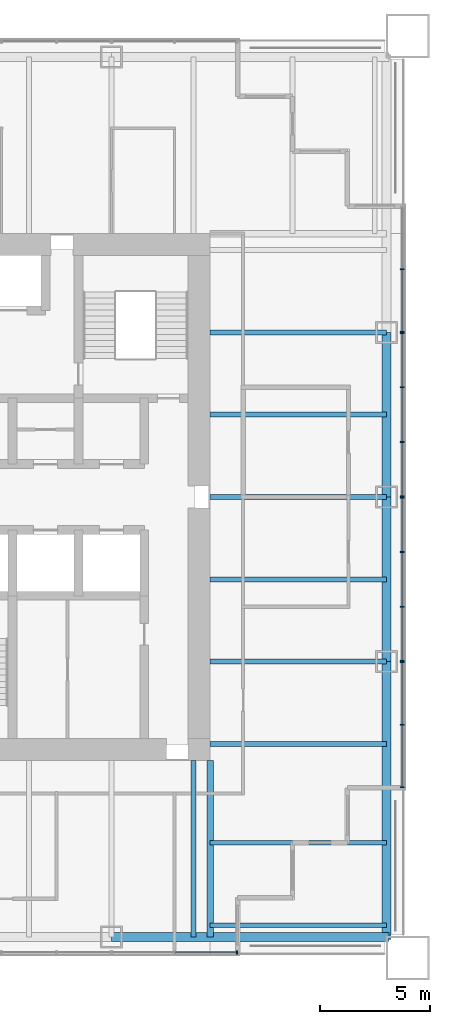
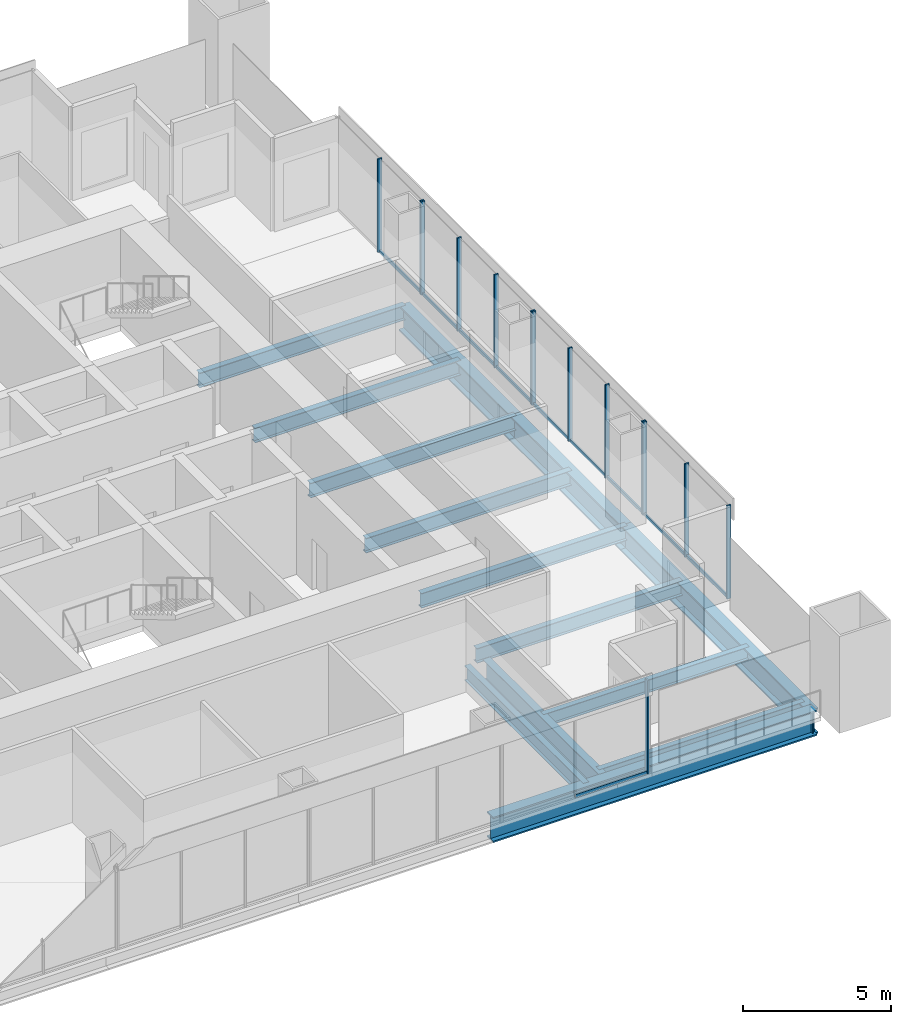
# One storey, part 5 of 14: 24 members, 14 beams, 5 elements without a shape of their own.
"""IFC4 building model written with IfcOpenShell, lengths in metres."""

from ifc_helpers import new_model, si_unit, direction, frame, origin, origin_2d, place, context, subcontext, project, spatial, rectangle, i_section, extrude, material, material_profile, profile_set, type_object, element, aggregate, save


model = new_model("IFC4")

# Units and contexts
model_context = context("Model", 3, precision=1e-05, world=origin(), true_north=direction((0.0, 1.0)))
body_context = subcontext(model_context, "Body", "Model", "MODEL_VIEW")
ifc_project = project(units=[si_unit("LENGTHUNIT", "METRE"), si_unit("AREAUNIT", "SQUARE_METRE"), si_unit("VOLUMEUNIT", "CUBIC_METRE"), si_unit("PLANEANGLEUNIT", "RADIAN"), si_unit("MASSUNIT", "GRAM", prefix="KILO")], contexts=[model_context])

# Site, building, storey
site_placement = place(None, origin())
site = spatial("IfcSite", under=ifc_project, at=site_placement, CompositionType="ELEMENT")
building_placement = place(site_placement, origin())
building = spatial("IfcBuilding", under=site, at=building_placement, Name="Tarangal Relay Tower", CompositionType="ELEMENT")
storey_placement = place(building_placement, frame((0.0, 0.0, 291.89990234375)))
storey = spatial("IfcBuildingStorey", under=building, at=storey_placement, Name="L64", CompositionType="ELEMENT", Elevation=291.89990234375)

# Beams
ifc_material_1 = material(Name="Steel ASTM A992", Category="steel")
ifc_material_profile_1 = material_profile(ifc_material_1, i_section(OverallWidth=0.209228515625, OverallDepth=0.533447265625, WebThickness=0.01025390625, FlangeThickness=0.015625, at=origin_2d()), Name="W21X62")
ifc_profile_set_1 = profile_set([ifc_material_profile_1], Name="Steel ASTM A992")
beam_type_1 = type_object("IfcBeamType", Name="Corner beam W21X62", PredefinedType="JOIST", material=ifc_profile_set_1)
for number, where, z_axis, x_axis, name in (
    (1, (12.0, -15.75, -0.41650390625), (1.0, 0.0, 0.0), (0.0, 1.0, 0.0), "Corner beam CB12 E L64"),
    (2, (12.0, -19.5, -0.41650390625), (1.0, 0.0, 0.0), (0.0, 1.0, 0.0), "Corner beam CB12 E L64"),
):
    element("IfcBeam", number, at=place(storey_placement, frame(where, z_axis=z_axis, x_axis=x_axis)), inside=storey, type_object=beam_type_1, Name=name, PredefinedType="JOIST", context=body_context, shape_type="SweptSolid", body=[
        extrude(i_section(OverallWidth=0.209228515625, OverallDepth=0.533447265625, WebThickness=0.01025390625, FlangeThickness=0.015625, at=origin_2d()), origin(), (0.0, 0.0, 1.0), 8.0400390625),
    ])
ifc_material_profile_2 = material_profile(ifc_material_1, i_section(OverallWidth=0.2919921875, OverallDepth=0.8408203125, WebThickness=0.0146484375, FlangeThickness=0.021728515625, at=origin_2d()), Name="W33X130")
ifc_profile_set_2 = profile_set([ifc_material_profile_2], Name="Steel ASTM A992")
beam_type_2 = type_object("IfcBeamType", Name="Corner girder W33X130", PredefinedType="BEAM", material=ifc_profile_set_2)
beam_placement = place(storey_placement, frame((12.0, -12.0, -0.5703125), z_axis=(0.0, -1.0, 0.0), x_axis=(1.0, 0.0, 0.0)))
element("IfcBeam", 3, at=beam_placement, inside=storey, type_object=beam_type_2, Name="Corner girder CG5 E L64", PredefinedType="BEAM", context=body_context, shape_type="SweptSolid", body=[
    extrude(i_section(OverallWidth=0.2919921875, OverallDepth=0.8408203125, WebThickness=0.0146484375, FlangeThickness=0.021728515625, at=origin_2d()), origin(), (0.0, 0.0, 1.0), 8.0400390625),
])
ifc_material_profile_3 = material_profile(ifc_material_1, i_section(OverallWidth=0.41162109375, OverallDepth=1.049072265625, WebThickness=0.033935546875, FlangeThickness=0.059814453125, at=origin_2d()), Name="W40X431")
ifc_profile_set_3 = profile_set([ifc_material_profile_3], Name="Steel ASTM A992")
beam_type_3 = type_object("IfcBeamType", Name="Edge girder W40X431", PredefinedType="SPANDREL", material=ifc_profile_set_3)
for number, where, z_axis, x_axis, name in (
    (4, (20.0400390625, 7.5, -0.67431640625), (0.0, -1.0, 0.0), (1.0, 0.0, 0.0), "Edge girder EG1 E L64"),
    (5, (20.0400390625, 0.0, -0.67431640625), (0.0, -1.0, 0.0), (1.0, 0.0, 0.0), "Edge girder EG1 E L64"),
):
    element("IfcBeam", number, at=place(storey_placement, frame(where, z_axis=z_axis, x_axis=x_axis)), inside=storey, type_object=beam_type_3, Name=name, PredefinedType="SPANDREL", context=body_context, shape_type="SweptSolid", body=[
        extrude(i_section(OverallWidth=0.41162109375, OverallDepth=1.049072265625, WebThickness=0.033935546875, FlangeThickness=0.059814453125, at=origin_2d()), origin(), (0.0, 0.0, 1.0), 7.5),
    ])
for number, where, z_axis, x_axis, name in (
    (6, (20.0400390625, -7.5, -0.67431640625), (0.0, -1.0, 0.0), (1.0, 0.0, 0.0), "Edge girder EG1 E L64"),
    (7, (20.14990234375, -20.0400390625, -0.67431640625), (-1.0, 0.0, 0.0), (0.0, -1.0, 0.0), "Edge girder EG1 S L64"),
):
    element("IfcBeam", number, at=place(storey_placement, frame(where, z_axis=z_axis, x_axis=x_axis)), inside=storey, type_object=beam_type_3, Name=name, PredefinedType="SPANDREL", context=body_context, shape_type="SweptSolid", body=[
        extrude(i_section(OverallWidth=0.41162109375, OverallDepth=1.049072265625, WebThickness=0.033935546875, FlangeThickness=0.059814453125, at=origin_2d()), origin(), (0.0, 0.0, 1.0), 12.64990234375),
    ])
ifc_material_profile_4 = material_profile(ifc_material_1, i_section(OverallWidth=0.228271484375, OverallDepth=0.607177734375, WebThickness=0.01123046875, FlangeThickness=0.017333984375, at=origin_2d()), Name="W24X76")
ifc_profile_set_4 = profile_set([ifc_material_profile_4], Name="Steel ASTM A992")
beam_type_4 = type_object("IfcBeamType", Name="Floor beam W24X76", PredefinedType="BEAM", material=ifc_profile_set_4)
for number, where, z_axis, x_axis, name in (
    (8, (12.0, 7.5, -0.453369140625), (1.0, 0.0, 0.0), (0.0, 1.0, 0.0), "Floor beam RB5 E L64"),
    (9, (12.0, 3.75, -0.453369140625), (1.0, 0.0, 0.0), (0.0, 1.0, 0.0), "Floor beam RB5 E L64"),
    (10, (12.0, 0.0, -0.453369140625), (1.0, 0.0, 0.0), (0.0, 1.0, 0.0), "Floor beam RB5 E L64"),
    (11, (12.0, -3.75, -0.453369140625), (1.0, 0.0, 0.0), (0.0, 1.0, 0.0), "Floor beam RB5 E L64"),
    (12, (12.0, -7.5, -0.453369140625), (1.0, 0.0, 0.0), (0.0, 1.0, 0.0), "Floor beam RB5 E L64"),
    (13, (12.0, -11.25, -0.453369140625), (1.0, 0.0, 0.0), (0.0, 1.0, 0.0), "Floor beam RB5 E L64"),
    (14, (11.25, -12.0, -0.453369140625), (0.0, -1.0, 0.0), (1.0, 0.0, 0.0), "Floor beam RB5 S L64"),
):
    element("IfcBeam", number, at=place(storey_placement, frame(where, z_axis=z_axis, x_axis=x_axis)), inside=storey, type_object=beam_type_4, Name=name, PredefinedType="BEAM", context=body_context, shape_type="SweptSolid", body=[
        extrude(i_section(OverallWidth=0.228271484375, OverallDepth=0.607177734375, WebThickness=0.01123046875, FlangeThickness=0.017333984375, at=origin_2d()), origin(), (0.0, 0.0, 1.0), 8.0400390625),
    ])

# Curtain wall, members
ifc_material_2 = material(Name="Unitised curtain wall, dark glass and black aluminium", Category="aluminium")
curtain_wall_type = type_object("IfcCurtainWallType", Name="Curtain wall CW-B", PredefinedType="USERDEFINED", material=ifc_material_2)
curtain_wall_1_placement = place(storey_placement, origin())
curtain_wall_1 = element("IfcCurtainWall", 15, at=curtain_wall_1_placement, inside=storey, type_object=curtain_wall_type, Name="Curtain wall CW-B E facade L64", ObjectType="UNITISED CURTAIN WALL", PredefinedType="USERDEFINED")
ifc_material_3 = material(Name="Black anodised aluminium mullion", Category="aluminium")
ifc_material_profile_5 = material_profile(ifc_material_3, rectangle(XDim=0.159912109375, YDim=0.06005859375, at=origin_2d()), Name="CW-BM 60X160")
ifc_profile_set_5 = profile_set([ifc_material_profile_5], Name="Black anodised aluminium mullion")
member_type_1 = type_object("IfcMemberType", Name="Mullion CW-B 60 x 160", PredefinedType="MULLION", material=ifc_profile_set_5)
member_1_placement = place(storey_placement, frame((20.75, 10.375, 0.0), z_axis=(0.0, 0.0, 1.0), x_axis=(1.0, 0.0, 0.0)))
member_1 = element("IfcMember", 16, at=member_1_placement, type_object=member_type_1, Name="CW-B mullion 2", PredefinedType="MULLION", context=body_context, shape_type="SweptSolid", body=[
    extrude(rectangle(XDim=0.159912109375, YDim=0.06005859375, at=origin_2d()), origin(), (0.0, 0.0, 1.0), 3.85009765625),
])
member_2_placement = place(storey_placement, frame((20.75, 7.530029296875, 0.0), z_axis=(0.0, 0.0, 1.0), x_axis=(1.0, 0.0, 0.0)))
member_2 = element("IfcMember", 17, at=member_2_placement, type_object=member_type_1, Name="CW-B mullion 3", PredefinedType="MULLION", context=body_context, shape_type="SweptSolid", body=[
    extrude(rectangle(XDim=0.159912109375, YDim=0.06005859375, at=origin_2d()), origin(), (0.0, 0.0, 1.0), 3.85009765625),
])

curtain_wall_2_placement = place(storey_placement, origin())
curtain_wall_2 = element("IfcCurtainWall", 18, at=curtain_wall_2_placement, inside=storey, type_object=curtain_wall_type, Name="Curtain wall CW-B E facade L64", ObjectType="UNITISED CURTAIN WALL", PredefinedType="USERDEFINED")
member_3_placement = place(storey_placement, frame((20.75, 7.469970703125, 0.0), z_axis=(0.0, 0.0, 1.0), x_axis=(1.0, 0.0, 0.0)))
member_3 = element("IfcMember", 19, at=member_3_placement, type_object=member_type_1, Name="CW-B mullion 1", PredefinedType="MULLION", context=body_context, shape_type="SweptSolid", body=[
    extrude(rectangle(XDim=0.159912109375, YDim=0.06005859375, at=origin_2d()), origin(), (0.0, 0.0, 1.0), 3.85009765625),
])
member_4_placement = place(storey_placement, frame((20.75, 5.0, 0.0), z_axis=(0.0, 0.0, 1.0), x_axis=(1.0, 0.0, 0.0)))
member_4 = element("IfcMember", 20, at=member_4_placement, type_object=member_type_1, Name="CW-B mullion 2", PredefinedType="MULLION", context=body_context, shape_type="SweptSolid", body=[
    extrude(rectangle(XDim=0.159912109375, YDim=0.06005859375, at=origin_2d()), origin(), (0.0, 0.0, 1.0), 3.85009765625),
])
member_5_placement = place(storey_placement, frame((20.75, 2.5, 0.0), z_axis=(0.0, 0.0, 1.0), x_axis=(1.0, 0.0, 0.0)))
member_5 = element("IfcMember", 21, at=member_5_placement, type_object=member_type_1, Name="CW-B mullion 3", PredefinedType="MULLION", context=body_context, shape_type="SweptSolid", body=[
    extrude(rectangle(XDim=0.159912109375, YDim=0.06005859375, at=origin_2d()), origin(), (0.0, 0.0, 1.0), 3.85009765625),
])
member_6_placement = place(storey_placement, frame((20.75, 0.030029296875, 0.0), z_axis=(0.0, 0.0, 1.0), x_axis=(1.0, 0.0, 0.0)))
member_6 = element("IfcMember", 22, at=member_6_placement, type_object=member_type_1, Name="CW-B mullion 4", PredefinedType="MULLION", context=body_context, shape_type="SweptSolid", body=[
    extrude(rectangle(XDim=0.159912109375, YDim=0.06005859375, at=origin_2d()), origin(), (0.0, 0.0, 1.0), 3.85009765625),
])

curtain_wall_3_placement = place(storey_placement, origin())
curtain_wall_3 = element("IfcCurtainWall", 23, at=curtain_wall_3_placement, inside=storey, type_object=curtain_wall_type, Name="Curtain wall CW-B E facade L64", ObjectType="UNITISED CURTAIN WALL", PredefinedType="USERDEFINED")
member_7_placement = place(storey_placement, frame((20.75, -0.030029296875, 0.0), z_axis=(0.0, 0.0, 1.0), x_axis=(1.0, 0.0, 0.0)))
member_7 = element("IfcMember", 24, at=member_7_placement, type_object=member_type_1, Name="CW-B mullion 1", PredefinedType="MULLION", context=body_context, shape_type="SweptSolid", body=[
    extrude(rectangle(XDim=0.159912109375, YDim=0.06005859375, at=origin_2d()), origin(), (0.0, 0.0, 1.0), 3.85009765625),
])
member_8_placement = place(storey_placement, frame((20.75, -2.5, 0.0), z_axis=(0.0, 0.0, 1.0), x_axis=(1.0, 0.0, 0.0)))
member_8 = element("IfcMember", 25, at=member_8_placement, type_object=member_type_1, Name="CW-B mullion 2", PredefinedType="MULLION", context=body_context, shape_type="SweptSolid", body=[
    extrude(rectangle(XDim=0.159912109375, YDim=0.06005859375, at=origin_2d()), origin(), (0.0, 0.0, 1.0), 3.85009765625),
])
member_9_placement = place(storey_placement, frame((20.75, -5.0, 0.0), z_axis=(0.0, 0.0, 1.0), x_axis=(1.0, 0.0, 0.0)))
member_9 = element("IfcMember", 26, at=member_9_placement, type_object=member_type_1, Name="CW-B mullion 3", PredefinedType="MULLION", context=body_context, shape_type="SweptSolid", body=[
    extrude(rectangle(XDim=0.159912109375, YDim=0.06005859375, at=origin_2d()), origin(), (0.0, 0.0, 1.0), 3.85009765625),
])
member_10_placement = place(storey_placement, frame((20.75, -7.469970703125, 0.0), z_axis=(0.0, 0.0, 1.0), x_axis=(1.0, 0.0, 0.0)))
member_10 = element("IfcMember", 27, at=member_10_placement, type_object=member_type_1, Name="CW-B mullion 4", PredefinedType="MULLION", context=body_context, shape_type="SweptSolid", body=[
    extrude(rectangle(XDim=0.159912109375, YDim=0.06005859375, at=origin_2d()), origin(), (0.0, 0.0, 1.0), 3.85009765625),
])

curtain_wall_4_placement = place(storey_placement, origin())
curtain_wall_4 = element("IfcCurtainWall", 28, at=curtain_wall_4_placement, inside=storey, type_object=curtain_wall_type, Name="Curtain wall CW-B E facade L64", ObjectType="UNITISED CURTAIN WALL", PredefinedType="USERDEFINED")
member_11_placement = place(storey_placement, frame((20.75, -7.530029296875, 0.0), z_axis=(0.0, 0.0, 1.0), x_axis=(1.0, 0.0, 0.0)))
member_11 = element("IfcMember", 29, at=member_11_placement, type_object=member_type_1, Name="CW-B mullion 1", PredefinedType="MULLION", context=body_context, shape_type="SweptSolid", body=[
    extrude(rectangle(XDim=0.159912109375, YDim=0.06005859375, at=origin_2d()), origin(), (0.0, 0.0, 1.0), 3.85009765625),
])
member_12_placement = place(storey_placement, frame((20.75, -10.375, 0.0), z_axis=(0.0, 0.0, 1.0), x_axis=(1.0, 0.0, 0.0)))
member_12 = element("IfcMember", 30, at=member_12_placement, type_object=member_type_1, Name="CW-B mullion 2", PredefinedType="MULLION", context=body_context, shape_type="SweptSolid", body=[
    extrude(rectangle(XDim=0.159912109375, YDim=0.06005859375, at=origin_2d()), origin(), (0.0, 0.0, 1.0), 3.85009765625),
])
member_13_placement = place(storey_placement, frame((20.75, -13.219970703125, 0.0), z_axis=(0.0, 0.0, 1.0), x_axis=(1.0, 0.0, 0.0)))
member_13 = element("IfcMember", 31, at=member_13_placement, type_object=member_type_1, Name="CW-B mullion 3", PredefinedType="MULLION", context=body_context, shape_type="SweptSolid", body=[
    extrude(rectangle(XDim=0.159912109375, YDim=0.06005859375, at=origin_2d()), origin(), (0.0, 0.0, 1.0), 3.85009765625),
])

# Curtain wall, member
curtain_wall_5_placement = place(storey_placement, origin())
curtain_wall_5 = element("IfcCurtainWall", 32, at=curtain_wall_5_placement, inside=storey, type_object=curtain_wall_type, Name="Curtain wall CW-B S facade L64", ObjectType="UNITISED CURTAIN WALL", PredefinedType="USERDEFINED")
member_14_placement = place(storey_placement, frame((13.219970703125, -20.75, 0.0), z_axis=(0.0, 0.0, 1.0), x_axis=(0.0, -1.0, 0.0)))
member_14 = element("IfcMember", 33, at=member_14_placement, type_object=member_type_1, Name="CW-B mullion 1", PredefinedType="MULLION", context=body_context, shape_type="SweptSolid", body=[
    extrude(rectangle(XDim=0.159912109375, YDim=0.06005859375, at=origin_2d()), origin(), (0.0, 0.0, 1.0), 3.85009765625),
])

# Member
ifc_material_4 = material(Name="Black anodised aluminium transom", Category="aluminium")
ifc_material_profile_6 = material_profile(ifc_material_4, rectangle(XDim=0.06005859375, YDim=0.1298828125, at=origin_2d()), Name="CW-BT 60X130")
ifc_profile_set_6 = profile_set([ifc_material_profile_6], Name="Black anodised aluminium transom")
member_type_2 = type_object("IfcMemberType", Name="Transom CW-B 60 x 130", PredefinedType="USERDEFINED", material=ifc_profile_set_6)
member_15_placement = place(storey_placement, frame((20.75, 10.344970703125, 0.030029296875), z_axis=(0.0, -1.0, 0.0), x_axis=(1.0, 0.0, 0.0)))
member_15 = element("IfcMember", 34, at=member_15_placement, type_object=member_type_2, Name="CW-B transom 2.1", ObjectType="TRANSOM", PredefinedType="USERDEFINED", context=body_context, shape_type="SweptSolid", body=[
    extrude(rectangle(XDim=0.06005859375, YDim=0.1298828125, at=origin_2d()), origin(), (0.0, 0.0, 1.0), 2.784912109375),
])

aggregate(curtain_wall_1, [member_1, member_2, member_15])

member_16_placement = place(storey_placement, frame((20.75, 7.43994140625, 0.030029296875), z_axis=(0.0, -1.0, 0.0), x_axis=(1.0, 0.0, 0.0)))
member_16 = element("IfcMember", 35, at=member_16_placement, type_object=member_type_2, Name="CW-B transom 1.1", ObjectType="TRANSOM", PredefinedType="USERDEFINED", context=body_context, shape_type="SweptSolid", body=[
    extrude(rectangle(XDim=0.06005859375, YDim=0.1298828125, at=origin_2d()), origin(), (0.0, 0.0, 1.0), 2.409912109375),
])

member_17_placement = place(storey_placement, frame((20.75, 4.969970703125, 0.030029296875), z_axis=(0.0, -1.0, 0.0), x_axis=(1.0, 0.0, 0.0)))
member_17 = element("IfcMember", 36, at=member_17_placement, type_object=member_type_2, Name="CW-B transom 2.1", ObjectType="TRANSOM", PredefinedType="USERDEFINED", context=body_context, shape_type="SweptSolid", body=[
    extrude(rectangle(XDim=0.06005859375, YDim=0.1298828125, at=origin_2d()), origin(), (0.0, 0.0, 1.0), 2.43994140625),
])

member_18_placement = place(storey_placement, frame((20.75, 2.469970703125, 0.030029296875), z_axis=(0.0, -1.0, 0.0), x_axis=(1.0, 0.0, 0.0)))
member_18 = element("IfcMember", 37, at=member_18_placement, type_object=member_type_2, Name="CW-B transom 3.1", ObjectType="TRANSOM", PredefinedType="USERDEFINED", context=body_context, shape_type="SweptSolid", body=[
    extrude(rectangle(XDim=0.06005859375, YDim=0.1298828125, at=origin_2d()), origin(), (0.0, 0.0, 1.0), 2.409912109375),
])

aggregate(curtain_wall_2, [member_3, member_4, member_5, member_6, member_16, member_17, member_18])

member_19_placement = place(storey_placement, frame((20.75, -0.06005859375, 0.030029296875), z_axis=(0.0, -1.0, 0.0), x_axis=(1.0, 0.0, 0.0)))
member_19 = element("IfcMember", 38, at=member_19_placement, type_object=member_type_2, Name="CW-B transom 1.1", ObjectType="TRANSOM", PredefinedType="USERDEFINED", context=body_context, shape_type="SweptSolid", body=[
    extrude(rectangle(XDim=0.06005859375, YDim=0.1298828125, at=origin_2d()), origin(), (0.0, 0.0, 1.0), 2.409912109375),
])

member_20_placement = place(storey_placement, frame((20.75, -2.530029296875, 0.030029296875), z_axis=(0.0, -1.0, 0.0), x_axis=(1.0, 0.0, 0.0)))
member_20 = element("IfcMember", 39, at=member_20_placement, type_object=member_type_2, Name="CW-B transom 2.1", ObjectType="TRANSOM", PredefinedType="USERDEFINED", context=body_context, shape_type="SweptSolid", body=[
    extrude(rectangle(XDim=0.06005859375, YDim=0.1298828125, at=origin_2d()), origin(), (0.0, 0.0, 1.0), 2.43994140625),
])

member_21_placement = place(storey_placement, frame((20.75, -5.030029296875, 0.030029296875), z_axis=(0.0, -1.0, 0.0), x_axis=(1.0, 0.0, 0.0)))
member_21 = element("IfcMember", 40, at=member_21_placement, type_object=member_type_2, Name="CW-B transom 3.1", ObjectType="TRANSOM", PredefinedType="USERDEFINED", context=body_context, shape_type="SweptSolid", body=[
    extrude(rectangle(XDim=0.06005859375, YDim=0.1298828125, at=origin_2d()), origin(), (0.0, 0.0, 1.0), 2.409912109375),
])

aggregate(curtain_wall_3, [member_7, member_8, member_9, member_10, member_19, member_20, member_21])

member_22_placement = place(storey_placement, frame((20.75, -7.56005859375, 0.030029296875), z_axis=(0.0, -1.0, 0.0), x_axis=(1.0, 0.0, 0.0)))
member_22 = element("IfcMember", 41, at=member_22_placement, type_object=member_type_2, Name="CW-B transom 1.1", ObjectType="TRANSOM", PredefinedType="USERDEFINED", context=body_context, shape_type="SweptSolid", body=[
    extrude(rectangle(XDim=0.06005859375, YDim=0.1298828125, at=origin_2d()), origin(), (0.0, 0.0, 1.0), 2.784912109375),
])

member_23_placement = place(storey_placement, frame((20.75, -10.405029296875, 0.030029296875), z_axis=(0.0, -1.0, 0.0), x_axis=(1.0, 0.0, 0.0)))
member_23 = element("IfcMember", 42, at=member_23_placement, type_object=member_type_2, Name="CW-B transom 2.1", ObjectType="TRANSOM", PredefinedType="USERDEFINED", context=body_context, shape_type="SweptSolid", body=[
    extrude(rectangle(XDim=0.06005859375, YDim=0.1298828125, at=origin_2d()), origin(), (0.0, 0.0, 1.0), 2.784912109375),
])

aggregate(curtain_wall_4, [member_11, member_12, member_13, member_22, member_23])

member_24_placement = place(storey_placement, frame((13.18994140625, -20.75, 0.030029296875), z_axis=(-1.0, 0.0, 0.0), x_axis=(0.0, -1.0, 0.0)))
member_24 = element("IfcMember", 43, at=member_24_placement, type_object=member_type_2, Name="CW-B transom 1.1", ObjectType="TRANSOM", PredefinedType="USERDEFINED", context=body_context, shape_type="SweptSolid", body=[
    extrude(rectangle(XDim=0.06005859375, YDim=0.1298828125, at=origin_2d()), origin(), (0.0, 0.0, 1.0), 2.784912109375),
])

aggregate(curtain_wall_5, [member_14, member_24])

save(model, "model.ifc")
